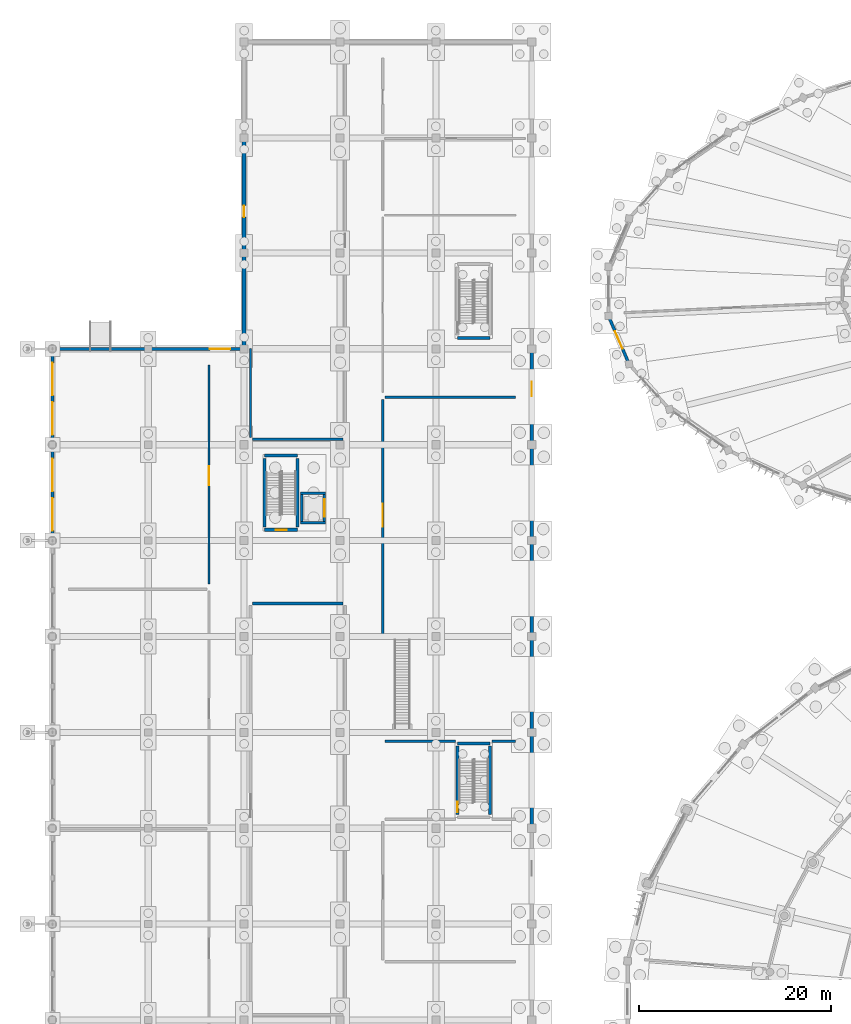
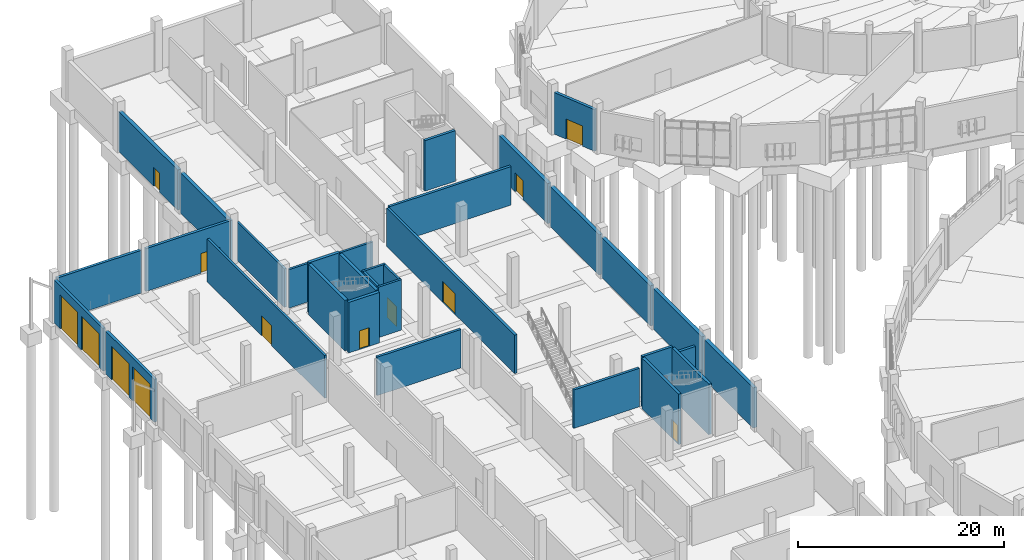
# One storey, part 81 of 140: 32 walls, 13 doors, 13 openings.
"""IFC4 building model written with IfcOpenShell, lengths in metres."""

from ifc_helpers import new_model, si_unit, direction, frame, frame_2d, origin, place, context, subcontext, project, spatial, rectangle, extrude, material, layer, layer_set, type_object, element, fill, save


model = new_model("IFC4")

# Units and contexts
model_context = context("Model", 3, precision=1e-05, world=origin(), true_north=direction((0.0, 1.0)))
body_context = subcontext(model_context, "Body", "Model", "MODEL_VIEW")
ifc_project = project(units=[si_unit("LENGTHUNIT", "METRE"), si_unit("AREAUNIT", "SQUARE_METRE"), si_unit("VOLUMEUNIT", "CUBIC_METRE"), si_unit("PLANEANGLEUNIT", "RADIAN"), si_unit("MASSUNIT", "GRAM", prefix="KILO")], contexts=[model_context])

# Site, building, storey
site_placement = place(None, origin())
site = spatial("IfcSite", under=ifc_project, at=site_placement, CompositionType="ELEMENT")
building_placement = place(site_placement, origin())
building = spatial("IfcBuilding", under=site, at=building_placement, Name="Corvandel Quay Wholesale Market", CompositionType="ELEMENT")
storey_placement = place(building_placement, origin())
storey = spatial("IfcBuildingStorey", under=building, at=storey_placement, Name="L00", CompositionType="ELEMENT", Elevation=0.0)

# Wall, opening, door
ifc_material_1 = material(Name="PIR insulated food-safe sandwich panel")
ifc_layer_1 = layer(ifc_material_1, 0.280029296875)
ifc_layer_set_1 = layer_set([ifc_layer_1], Name="PIR insulated food-safe sandwich panel")
wall_type_1 = type_object("IfcWallType", Name="Cold Store Insulated Partition PT03 280", PredefinedType="PARTITIONING", material=ifc_layer_set_1)
wall_1_placement = place(storey_placement, frame((34.4599609375, 79.84619140625, 0.0), z_axis=(0.0, 0.0, 1.0), x_axis=(0.0, 1.0, 0.0)))
wall_1 = element("IfcWall", 1, at=wall_1_placement, inside=storey, type_object=wall_type_1, Name="Interior Wall IW-0779", PredefinedType="PARTITIONING", context=body_context, shape_type="SweptSolid", body=[
    extrude(rectangle(XDim=24.873779296875, YDim=0.280029296875, at=frame_2d((12.43701171875, 0.0))), origin(), (0.0, 0.0, 1.0), 4.570068359375),
])
opening_1_placement = place(wall_1_placement, frame((11.5869140625, 0.0, 0.0)))
opening_1 = element("IfcOpeningElement", 2, at=opening_1_placement, cuts=wall_1, Name="Opening L00-D116", PredefinedType="OPENING", context=body_context, shape_type="SweptSolid", body=[
    extrude(rectangle(XDim=2.39990234375, YDim=2.449951171875, at=frame_2d((1.199951171875, 1.22509765625))), frame((0.0, 0.14990234375, 0.0), z_axis=(0.0, -1.0, 0.0), x_axis=(1.0, 0.0, 0.0)), (0.0, 0.0, 1.0), 0.300048828125),
])
ifc_material_2 = material(Name="Stainless insulated cold-store leaf")
door_type_1 = type_object("IfcDoorType", Name="Cold Store Insulated Sliding Door ID06 2400x2450", OperationType="DOUBLE_DOOR_SLIDING", PredefinedType="DOOR", material=ifc_material_2)
door_1_placement = place(opening_1_placement, origin())
door_1 = element("IfcDoor", 3, at=door_1_placement, inside=storey, type_object=door_type_1, Name="Chilled Dairy and Berry Cold Store Door", OperationType="DOUBLE_DOOR_SLIDING", OverallHeight=2.449951171875, OverallWidth=2.39990234375, PredefinedType="DOOR", context=body_context, shape_type="SweptSolid", body=[
    extrude(rectangle(XDim=2.39990234375, YDim=2.449951171875, at=frame_2d((1.199951171875, 1.22509765625))), frame((0.0, 0.02490234375, 0.0), z_axis=(0.0, -1.0, 0.0), x_axis=(1.0, 0.0, 0.0)), (0.0, 0.0, 1.0), 0.050048828125),
])
fill(opening_1, door_1)

# Walls
wall_2_placement = place(storey_placement, frame((34.679931640625, 104.93994140625, 0.0), z_axis=(0.0, 0.0, 1.0), x_axis=(1.0, 0.0, 0.0)))
element("IfcWall", 4, at=wall_2_placement, inside=storey, type_object=wall_type_1, Name="Interior Wall IW-0780", PredefinedType="PARTITIONING", context=body_context, shape_type="SweptSolid", body=[
    extrude(rectangle(XDim=13.650146484375, YDim=0.280029296875, at=frame_2d((6.8251953125, 0.0))), origin(), (0.0, 0.0, 1.0), 4.570068359375),
])
wall_3_placement = place(storey_placement, frame((48.330078125, 69.06005859375, 0.0), z_axis=(0.0, 0.0, 1.0), x_axis=(-1.0, 0.0, 0.0)))
element("IfcWall", 5, at=wall_3_placement, inside=storey, type_object=wall_type_1, Name="Interior Wall IW-0781", PredefinedType="PARTITIONING", context=body_context, shape_type="SweptSolid", body=[
    extrude(rectangle(XDim=2.4599609375, YDim=0.280029296875, at=frame_2d((1.22998046875, 0.0))), origin(), (0.0, 0.0, 1.0), 4.969970703125),
])
wall_4_placement = place(storey_placement, frame((42.030029296875, 69.06005859375, 0.0), z_axis=(0.0, 0.0, 1.0), x_axis=(-1.0, 0.0, 0.0)))
element("IfcWall", 6, at=wall_4_placement, inside=storey, type_object=wall_type_1, Name="Interior Wall IW-0782", PredefinedType="PARTITIONING", context=body_context, shape_type="SweptSolid", body=[
    extrude(rectangle(XDim=7.35009765625, YDim=0.280029296875, at=frame_2d((3.675048828125, 0.0))), origin(), (0.0, 0.0, 1.0), 4.570068359375),
])
wall_5_placement = place(storey_placement, frame((20.8798828125, 83.43994140625, 0.0), z_axis=(0.0, 0.0, 1.0), x_axis=(1.0, 0.0, 0.0)))
element("IfcWall", 7, at=wall_5_placement, inside=storey, type_object=wall_type_1, Name="Interior Wall IW-0789", PredefinedType="PARTITIONING", context=body_context, shape_type="SweptSolid", body=[
    extrude(rectangle(XDim=9.440185546875, YDim=0.280029296875, at=frame_2d((4.72021484375, 0.0))), origin(), (0.0, 0.0, 1.0), 4.570068359375),
])

# Wall, opening, door
ifc_material_3 = material(Name="Concrete C40/50", Category="concrete")
ifc_layer_2 = layer(ifc_material_3, 0.35009765625)
ifc_layer_set_2 = layer_set([ifc_layer_2], Name="Concrete C40/50")
wall_type_2 = type_object("IfcWallType", Name="Core Shear Wall SW01 350", PredefinedType="SHEAR", material=ifc_layer_set_2)
wall_6_placement = place(storey_placement, frame((22.125, 91.125, 0.0), z_axis=(0.0, 0.0, 1.0), x_axis=(1.0, 0.0, 0.0)))
wall_6 = element("IfcWall", 8, at=wall_6_placement, inside=storey, type_object=wall_type_2, Name="Shear Wall IW-0121", PredefinedType="SHEAR", context=body_context, shape_type="SweptSolid", body=[
    extrude(rectangle(XDim=3.449951171875, YDim=0.35009765625, at=frame_2d((1.72509765625, 0.0))), origin(), (0.0, 0.0, 1.0), 6.0),
])
opening_2_placement = place(wall_6_placement, frame((1.199951171875, 0.0, 0.0)))
opening_2 = element("IfcOpeningElement", 9, at=opening_2_placement, cuts=wall_6, Name="Opening L00-D067", PredefinedType="OPENING", context=body_context, shape_type="SweptSolid", body=[
    extrude(rectangle(XDim=1.10009765625, YDim=2.199951171875, at=frame_2d((0.550048828125, 1.10009765625))), frame((0.0, 0.18505859375, 0.0), z_axis=(0.0, -1.0, 0.0), x_axis=(1.0, 0.0, 0.0)), (0.0, 0.0, 1.0), 0.3701171875),
])
ifc_material_4 = material(Name="Galvanised fire-rated hollow steel", Category="steel")
door_type_2 = type_object("IfcDoorType", Name="Exit Stair Fire Door ID01 1100x2200L", OperationType="SINGLE_SWING_LEFT", PredefinedType="DOOR", material=ifc_material_4)
door_2_placement = place(opening_2_placement, origin())
door_2 = element("IfcDoor", 10, at=door_2_placement, inside=storey, type_object=door_type_2, Name="Exit Stair Door SH12-L00", OperationType="SINGLE_SWING_LEFT", OverallHeight=2.199951171875, OverallWidth=1.10009765625, PredefinedType="DOOR", context=body_context, shape_type="SweptSolid", body=[
    extrude(rectangle(XDim=1.10009765625, YDim=2.199951171875, at=frame_2d((0.550048828125, 1.10009765625))), frame((0.0, 0.02490234375, 0.0), z_axis=(0.0, -1.0, 0.0), x_axis=(1.0, 0.0, 0.0)), (0.0, 0.0, 1.0), 0.050048828125),
])
fill(opening_2, door_2)

# Walls
wall_7_placement = place(storey_placement, frame((22.125, 98.875, 0.0), z_axis=(0.0, 0.0, 1.0), x_axis=(1.0, 0.0, 0.0)))
element("IfcWall", 11, at=wall_7_placement, inside=storey, type_object=wall_type_2, Name="Shear Wall IW-0122", PredefinedType="SHEAR", context=body_context, shape_type="SweptSolid", body=[
    extrude(rectangle(XDim=3.449951171875, YDim=0.35009765625, at=frame_2d((1.72509765625, 0.0))), origin(), (0.0, 0.0, 1.0), 6.0),
])
for number, where, z_axis, x_axis, name in (
    (12, (22.125, 91.43994140625, 0.0), (0.0, 0.0, 1.0), (0.0, 1.0, 0.0), "Shear Wall IW-0123"),
    (13, (25.574951171875, 91.43994140625, 0.0), (0.0, 0.0, 1.0), (0.0, 1.0, 0.0), "Shear Wall IW-0124"),
):
    element("IfcWall", number, at=place(storey_placement, frame(where, z_axis=z_axis, x_axis=x_axis)), inside=storey, type_object=wall_type_2, Name=name, PredefinedType="SHEAR", context=body_context, shape_type="SweptSolid", body=[
        extrude(rectangle(XDim=7.1201171875, YDim=0.35009765625, at=frame_2d((3.56005859375, 0.0))), origin(), (0.0, 0.0, 1.0), 6.0),
    ])

# Wall, opening, door
ifc_material_5 = material(Name="Lightweight concrete blockwork", Category="masonry")
ifc_layer_3 = layer(ifc_material_5, 0.239990234375)
ifc_layer_set_3 = layer_set([ifc_layer_3], Name="Lightweight concrete blockwork")
wall_type_3 = type_object("IfcWallType", Name="Fire Compartment Partition PT01 240", PredefinedType="PARTITIONING", material=ifc_layer_set_3)
wall_8_placement = place(storey_placement, frame((16.340087890625, 108.330078125, 0.0), z_axis=(0.0, 0.0, 1.0), x_axis=(0.0, -1.0, 0.0)))
wall_8 = element("IfcWall", 14, at=wall_8_placement, inside=storey, type_object=wall_type_3, Name="Interior Wall IW-0771", PredefinedType="PARTITIONING", context=body_context, shape_type="SweptSolid", body=[
    extrude(rectangle(XDim=22.85009765625, YDim=0.239990234375, at=frame_2d((11.425048828125, 0.0))), origin(), (0.0, 0.0, 1.0), 5.080078125),
])
opening_3_placement = place(wall_8_placement, frame((10.574951171875, 0.0, 0.0)))
opening_3 = element("IfcOpeningElement", 15, at=opening_3_placement, cuts=wall_8, Name="Opening L00-D113", PredefinedType="OPENING", context=body_context, shape_type="SweptSolid", body=[
    extrude(rectangle(XDim=2.0, YDim=2.35009765625, at=frame_2d((1.0, 1.175048828125))), frame((0.0, 0.1298828125, 0.0), z_axis=(0.0, -1.0, 0.0), x_axis=(1.0, 0.0, 0.0)), (0.0, 0.0, 1.0), 0.260009765625),
])
ifc_material_6 = material(Name="Heavy-duty anodised aluminium", Category="aluminium")
door_type_3 = type_object("IfcDoorType", Name="Trading Stall Double Door ID05 2000x2350", OperationType="DOUBLE_DOOR_SINGLE_SWING", PredefinedType="DOOR", material=ifc_material_6)
door_3_placement = place(opening_3_placement, origin())
door_3 = element("IfcDoor", 16, at=door_3_placement, inside=storey, type_object=door_type_3, Name="Refrigerated Truck Loading Dock Bay 4 Door", OperationType="DOUBLE_DOOR_SINGLE_SWING", OverallHeight=2.35009765625, OverallWidth=2.0, PredefinedType="DOOR", context=body_context, shape_type="SweptSolid", body=[
    extrude(rectangle(XDim=2.0, YDim=2.35009765625, at=frame_2d((1.0, 1.175048828125))), frame((0.0, 0.02490234375, 0.0), z_axis=(0.0, -1.0, 0.0), x_axis=(1.0, 0.0, 0.0)), (0.0, 0.0, 1.0), 0.050048828125),
])
fill(opening_3, door_3)

# Walls
wall_9_placement = place(storey_placement, frame((20.659912109375, 100.780029296875, 0.0), z_axis=(0.0, 0.0, 1.0), x_axis=(0.0, 1.0, 0.0)))
element("IfcWall", 17, at=wall_9_placement, inside=storey, type_object=wall_type_3, Name="Interior Wall IW-0792", PredefinedType="PARTITIONING", context=body_context, shape_type="SweptSolid", body=[
    extrude(rectangle(XDim=9.239990234375, YDim=0.239990234375, at=frame_2d((4.6201171875, 0.0))), origin(), (0.0, 0.0, 1.0), 4.570068359375),
])
wall_10_placement = place(storey_placement, frame((30.320068359375, 100.56005859375, 0.0), z_axis=(0.0, 0.0, 1.0), x_axis=(-1.0, 0.0, 0.0)))
element("IfcWall", 18, at=wall_10_placement, inside=storey, type_object=wall_type_3, Name="Interior Wall IW-0794", PredefinedType="PARTITIONING", context=body_context, shape_type="SweptSolid", body=[
    extrude(rectangle(XDim=9.440185546875, YDim=0.239990234375, at=frame_2d((4.72021484375, 0.0))), origin(), (0.0, 0.0, 1.0), 4.570068359375),
])

# Wall, opening, door
ifc_material_7 = material(Name="Marine precast concrete C45/55", Category="concrete")
ifc_layer_4 = layer(ifc_material_7, 0.31005859375)
ifc_layer_set_4 = layer_set([ifc_layer_4], Name="Marine precast concrete C45/55")
wall_type_4 = type_object("IfcWallType", Name="Fish Hall Marine Precast Wall EW06 310", PredefinedType="SOLIDWALL", material=ifc_layer_set_4)
wall_11_placement = place(storey_placement, frame((58.094482421875, 113.218505859375, 0.0), z_axis=(0.0, 0.0, 1.0), x_axis=(0.393836540118, -0.91918049352, 0.0)))
wall_11 = element("IfcWall", 19, at=wall_11_placement, inside=storey, type_object=wall_type_4, Name="Exterior Wall EW-0123", PredefinedType="SOLIDWALL", context=body_context, shape_type="SweptSolid", body=[
    extrude(rectangle(XDim=4.984619140625, YDim=0.31005859375, at=frame_2d((2.4921875, 0.0))), origin(), (0.0, 0.0, 1.0), 4.949951171875),
])
opening_4_placement = place(wall_11_placement, frame((1.491943359375, 0.0, 0.0)))
opening_4 = element("IfcOpeningElement", 20, at=opening_4_placement, cuts=wall_11, Name="Opening L00-D019", PredefinedType="OPENING", context=body_context, shape_type="SweptSolid", body=[
    extrude(rectangle(XDim=2.0, YDim=2.39990234375, at=frame_2d((1.0, 1.199951171875))), frame((0.0, 0.1650390625, 0.0), z_axis=(0.0, -1.0, 0.0), x_axis=(1.0, 0.0, 0.0)), (0.0, 0.0, 1.0), 0.330078125),
])
ifc_material_8 = material(Name="Bronze anodised aluminium and laminated glass", Category="aluminium")
door_type_4 = type_object("IfcDoorType", Name="Concourse Double Exit Door ED02 2000x2400", OperationType="DOUBLE_DOOR_SINGLE_SWING", PredefinedType="DOOR", material=ifc_material_8)
door_4_placement = place(opening_4_placement, origin())
door_4 = element("IfcDoor", 21, at=door_4_placement, inside=storey, type_object=door_type_4, Name="Main Pedestrian Exit V2-16", OperationType="DOUBLE_DOOR_SINGLE_SWING", OverallHeight=2.39990234375, OverallWidth=2.0, PredefinedType="DOOR", context=body_context, shape_type="SweptSolid", body=[
    extrude(rectangle(XDim=2.0, YDim=2.39990234375, at=frame_2d((1.0, 1.199951171875))), frame((0.0, 0.02490234375, 0.0), z_axis=(0.0, -1.0, 0.0), x_axis=(1.0, 0.0, 0.0)), (0.0, 0.0, 1.0), 0.050048828125),
])
fill(opening_4, door_4)

# Walls
ifc_material_9 = material(Name="Insulated precast concrete C45/55", Category="concrete")
ifc_layer_5 = layer(ifc_material_9, 0.39990234375)
ifc_layer_set_5 = layer_set([ifc_layer_5], Name="Insulated precast concrete C45/55")
wall_type_5 = type_object("IfcWallType", Name="Insulated Cold Store Envelope Wall EW03 400", PredefinedType="SOLIDWALL", material=ifc_layer_set_5)
for number, where, z_axis, x_axis, name in (
    (22, (50.0, 69.760009765625, 0.0), (0.0, 0.0, 1.0), (0.0, -1.0, 0.0), "Exterior Wall EW-0258"),
    (23, (50.0, 79.760009765625, 0.0), (0.0, 0.0, 1.0), (0.0, -1.0, 0.0), "Exterior Wall EW-0265"),
    (24, (50.0, 89.760009765625, 0.0), (0.0, 0.0, 1.0), (0.0, -1.0, 0.0), "Exterior Wall EW-0272"),
    (25, (50.0, 99.760009765625, 0.0), (0.0, 0.0, 1.0), (0.0, -1.0, 0.0), "Exterior Wall EW-0279"),
):
    element("IfcWall", number, at=place(storey_placement, frame(where, z_axis=z_axis, x_axis=x_axis)), inside=storey, type_object=wall_type_5, Name=name, PredefinedType="SOLIDWALL", context=body_context, shape_type="SweptSolid", body=[
        extrude(rectangle(XDim=9.52001953125, YDim=0.39990234375, at=frame_2d((4.760009765625, 0.0))), origin(), (0.0, 0.0, 1.0), 4.77001953125),
    ])

# Wall, opening, door
wall_12_placement = place(storey_placement, frame((50.0, 109.760009765625, 0.0), z_axis=(0.0, 0.0, 1.0), x_axis=(0.0, -1.0, 0.0)))
wall_12 = element("IfcWall", 26, at=wall_12_placement, inside=storey, type_object=wall_type_5, Name="Exterior Wall EW-0286", PredefinedType="SOLIDWALL", context=body_context, shape_type="SweptSolid", body=[
    extrude(rectangle(XDim=9.52001953125, YDim=0.39990234375, at=frame_2d((4.760009765625, 0.0))), origin(), (0.0, 0.0, 1.0), 4.77001953125),
])
opening_5_placement = place(wall_12_placement, frame((3.199951171875, 0.0, 0.0)))
opening_5 = element("IfcOpeningElement", 27, at=opening_5_placement, cuts=wall_12, Name="Opening L00-D047", PredefinedType="OPENING", context=body_context, shape_type="SweptSolid", body=[
    extrude(rectangle(XDim=1.5, YDim=2.25, at=frame_2d((0.75, 1.125))), frame((0.0, 0.2099609375, 0.0), z_axis=(0.0, -1.0, 0.0), x_axis=(1.0, 0.0, 0.0)), (0.0, 0.0, 1.0), 0.419921875),
])
ifc_material_10 = material(Name="Galvanised insulated hollow steel", Category="steel")
door_type_5 = type_object("IfcDoorType", Name="Exterior Stair Discharge Door ED05 1500x2250", OperationType="SINGLE_SWING_RIGHT", PredefinedType="DOOR", material=ifc_material_10)
door_5_placement = place(opening_5_placement, origin())
door_5 = element("IfcDoor", 28, at=door_5_placement, inside=storey, type_object=door_type_5, Name="Cold Store Yard Exit 100", OperationType="SINGLE_SWING_RIGHT", OverallHeight=2.25, OverallWidth=1.5, PredefinedType="DOOR", context=body_context, shape_type="SweptSolid", body=[
    extrude(rectangle(XDim=1.5, YDim=2.25, at=frame_2d((0.75, 1.125))), frame((0.0, 0.02490234375, 0.0), z_axis=(0.0, -1.0, 0.0), x_axis=(1.0, 0.0, 0.0)), (0.0, 0.0, 1.0), 0.050048828125),
])
fill(opening_5, door_5)

# Wall
wall_13_placement = place(storey_placement, frame((20.0, 110.239990234375, 0.0), z_axis=(0.0, 0.0, 1.0), x_axis=(0.0, 1.0, 0.0)))
element("IfcWall", 29, at=wall_13_placement, inside=storey, type_object=wall_type_5, Name="Exterior Wall EW-0290", PredefinedType="SOLIDWALL", context=body_context, shape_type="SweptSolid", body=[
    extrude(rectangle(XDim=9.52001953125, YDim=0.39990234375, at=frame_2d((4.760009765625, 0.0))), origin(), (0.0, 0.0, 1.0), 4.77001953125),
])

# Wall, opening, door
wall_14_placement = place(storey_placement, frame((20.0, 120.239990234375, 0.0), z_axis=(0.0, 0.0, 1.0), x_axis=(0.0, 1.0, 0.0)))
wall_14 = element("IfcWall", 30, at=wall_14_placement, inside=storey, type_object=wall_type_5, Name="Exterior Wall EW-0298", PredefinedType="SOLIDWALL", context=body_context, shape_type="SweptSolid", body=[
    extrude(rectangle(XDim=11.52001953125, YDim=0.39990234375, at=frame_2d((5.760009765625, 0.0))), origin(), (0.0, 0.0, 1.0), 4.77001953125),
])
opening_6_placement = place(wall_14_placement, frame((3.5, 0.0, 0.0)))
opening_6 = element("IfcOpeningElement", 31, at=opening_6_placement, cuts=wall_14, Name="Opening L00-D048", PredefinedType="OPENING", context=body_context, shape_type="SweptSolid", body=[
    extrude(rectangle(XDim=1.199951171875, YDim=2.25, at=frame_2d((0.60009765625, 1.125))), frame((0.0, 0.2099609375, 0.0), z_axis=(0.0, -1.0, 0.0), x_axis=(1.0, 0.0, 0.0)), (0.0, 0.0, 1.0), 0.419921875),
])
door_type_6 = type_object("IfcDoorType", Name="Plant Yard Service Door ED06 1200x2250", OperationType="SINGLE_SWING_LEFT", PredefinedType="DOOR", material=ifc_material_10)
door_6_placement = place(opening_6_placement, origin())
door_6 = element("IfcDoor", 32, at=door_6_placement, inside=storey, type_object=door_type_6, Name="Substation Yard Door", OperationType="SINGLE_SWING_LEFT", OverallHeight=2.25, OverallWidth=1.199951171875, PredefinedType="DOOR", context=body_context, shape_type="SweptSolid", body=[
    extrude(rectangle(XDim=1.199951171875, YDim=2.25, at=frame_2d((0.60009765625, 1.125))), frame((0.0, 0.02490234375, 0.0), z_axis=(0.0, -1.0, 0.0), x_axis=(1.0, 0.0, 0.0)), (0.0, 0.0, 1.0), 0.050048828125),
])
fill(opening_6, door_6)

# Walls
ifc_layer_6 = layer(ifc_material_3, 0.25)
ifc_layer_set_6 = layer_set([ifc_layer_6], Name="Concrete C40/50")
wall_type_6 = type_object("IfcWallType", Name="Lift Shaft Shear Wall SW03 250", PredefinedType="SHEAR", material=ifc_layer_set_6)
for number, where, z_axis, x_axis, name in (
    (33, (25.89990234375, 91.875, 0.0), (0.0, 0.0, 1.0), (1.0, 0.0, 0.0), "Shear Wall IW-0309"),
    (34, (25.89990234375, 94.925048828125, 0.0), (0.0, 0.0, 1.0), (1.0, 0.0, 0.0), "Shear Wall IW-0310"),
):
    element("IfcWall", number, at=place(storey_placement, frame(where, z_axis=z_axis, x_axis=x_axis)), inside=storey, type_object=wall_type_6, Name=name, PredefinedType="SHEAR", context=body_context, shape_type="SweptSolid", body=[
        extrude(rectangle(XDim=2.60009765625, YDim=0.25, at=frame_2d((1.300048828125, 0.0))), origin(), (0.0, 0.0, 1.0), 6.0),
    ])
wall_15_placement = place(storey_placement, frame((26.02490234375, 91.989990234375, 0.0), z_axis=(0.0, 0.0, 1.0), x_axis=(0.0, 1.0, 0.0)))
element("IfcWall", 35, at=wall_15_placement, inside=storey, type_object=wall_type_6, Name="Shear Wall IW-0311", PredefinedType="SHEAR", context=body_context, shape_type="SweptSolid", body=[
    extrude(rectangle(XDim=2.820068359375, YDim=0.25, at=frame_2d((1.41015625, 0.0))), origin(), (0.0, 0.0, 1.0), 6.0),
])

# Wall, opening, door
wall_16_placement = place(storey_placement, frame((28.375, 91.989990234375, 0.0), z_axis=(0.0, 0.0, 1.0), x_axis=(0.0, 1.0, 0.0)))
wall_16 = element("IfcWall", 36, at=wall_16_placement, inside=storey, type_object=wall_type_6, Name="Shear Wall IW-0312", PredefinedType="SHEAR", context=body_context, shape_type="SweptSolid", body=[
    extrude(rectangle(XDim=2.820068359375, YDim=0.25, at=frame_2d((1.41015625, 0.0))), origin(), (0.0, 0.0, 1.0), 6.0),
])
opening_7_placement = place(wall_16_placement, frame((0.510009765625, 0.0, 0.0)))
opening_7 = element("IfcOpeningElement", 37, at=opening_7_placement, cuts=wall_16, Name="Opening LD-L00-082", PredefinedType="OPENING", context=body_context, shape_type="SweptSolid", body=[
    extrude(rectangle(XDim=1.800048828125, YDim=2.39990234375, at=frame_2d((0.89990234375, 1.199951171875))), frame((0.0, 0.135009765625, 0.0), z_axis=(0.0, -1.0, 0.0), x_axis=(1.0, 0.0, 0.0)), (0.0, 0.0, 1.0), 0.27001953125),
])
ifc_material_11 = material(Name="Heavy-duty brushed stainless steel", Category="steel")
door_type_7 = type_object("IfcDoorType", Name="Goods Lift Landing Door LD02 1800x2400", OperationType="DOUBLE_DOOR_SLIDING", PredefinedType="DOOR", material=ifc_material_11)
door_7_placement = place(opening_7_placement, origin())
door_7 = element("IfcDoor", 38, at=door_7_placement, inside=storey, type_object=door_type_7, Name="Lift Landing Door LF-V4F2-L00", OperationType="DOUBLE_DOOR_SLIDING", OverallHeight=2.39990234375, OverallWidth=1.800048828125, PredefinedType="DOOR", context=body_context, shape_type="SweptSolid", body=[
    extrude(rectangle(XDim=1.800048828125, YDim=2.39990234375, at=frame_2d((0.89990234375, 1.199951171875))), frame((0.0, 0.02490234375, 0.0), z_axis=(0.0, -1.0, 0.0), x_axis=(1.0, 0.0, 0.0)), (0.0, 0.0, 1.0), 0.050048828125),
])
fill(opening_7, door_7)

# Wall, openings, doors
ifc_material_12 = material(Name="Precast concrete C45/55", Category="concrete")
ifc_layer_7 = layer(ifc_material_12, 0.300048828125)
ifc_layer_set_7 = layer_set([ifc_layer_7], Name="Precast concrete C45/55")
wall_type_7 = type_object("IfcWallType", Name="Loading Dock Apron Precast Wall EW05 300", PredefinedType="SOLIDWALL", material=ifc_layer_set_7)
wall_17_placement = place(storey_placement, frame((0.0, 90.239990234375, 0.0), z_axis=(0.0, 0.0, 1.0), x_axis=(0.0, 1.0, 0.0)))
wall_17 = element("IfcWall", 39, at=wall_17_placement, inside=storey, type_object=wall_type_7, Name="Exterior Wall EW-0214", PredefinedType="SOLIDWALL", context=body_context, shape_type="SweptSolid", body=[
    extrude(rectangle(XDim=9.52001953125, YDim=0.300048828125, at=frame_2d((4.760009765625, 0.0))), origin(), (0.0, 0.0, 1.0), 5.080078125),
])
opening_8_placement = place(wall_17_placement, frame((0.800048828125, 0.0, 0.0)))
opening_8 = element("IfcOpeningElement", 40, at=opening_8_placement, cuts=wall_17, Name="Opening L00-D040", PredefinedType="OPENING", context=body_context, shape_type="SweptSolid", body=[
    extrude(rectangle(XDim=3.39990234375, YDim=4.0, at=frame_2d((1.699951171875, 2.0))), frame((0.0, 0.159912109375, 0.0), z_axis=(0.0, -1.0, 0.0), x_axis=(1.0, 0.0, 0.0)), (0.0, 0.0, 1.0), 0.320068359375),
])
opening_9_placement = place(wall_17_placement, frame((4.89990234375, 0.0, 0.0)))
opening_9 = element("IfcOpeningElement", 41, at=opening_9_placement, cuts=wall_17, Name="Opening L00-D041", PredefinedType="OPENING", context=body_context, shape_type="SweptSolid", body=[
    extrude(rectangle(XDim=3.39990234375, YDim=4.0, at=frame_2d((1.699951171875, 2.0))), frame((0.0, 0.159912109375, 0.0), z_axis=(0.0, -1.0, 0.0), x_axis=(1.0, 0.0, 0.0)), (0.0, 0.0, 1.0), 0.320068359375),
])
ifc_material_13 = material(Name="Insulated galvanised steel slats", Category="steel")
door_type_8 = type_object("IfcDoorType", Name="Refrigerated Dock Roller Shutter RS01 3400x4000", OperationType="ROLLINGUP", PredefinedType="DOOR", material=ifc_material_13)
door_8_placement = place(opening_8_placement, origin())
door_8 = element("IfcDoor", 42, at=door_8_placement, inside=storey, type_object=door_type_8, Name="Dock Bay Shutter A-17", OperationType="ROLLINGUP", OverallHeight=4.0, OverallWidth=3.39990234375, PredefinedType="DOOR", context=body_context, shape_type="SweptSolid", body=[
    extrude(rectangle(XDim=3.39990234375, YDim=4.0, at=frame_2d((1.699951171875, 2.0))), frame((0.0, 0.02490234375, 0.0), z_axis=(0.0, -1.0, 0.0), x_axis=(1.0, 0.0, 0.0)), (0.0, 0.0, 1.0), 0.050048828125),
])
fill(opening_8, door_8)
door_9_placement = place(opening_9_placement, origin())
door_9 = element("IfcDoor", 43, at=door_9_placement, inside=storey, type_object=door_type_8, Name="Dock Bay Shutter A-18", OperationType="ROLLINGUP", OverallHeight=4.0, OverallWidth=3.39990234375, PredefinedType="DOOR", context=body_context, shape_type="SweptSolid", body=[
    extrude(rectangle(XDim=3.39990234375, YDim=4.0, at=frame_2d((1.699951171875, 2.0))), frame((0.0, 0.02490234375, 0.0), z_axis=(0.0, -1.0, 0.0), x_axis=(1.0, 0.0, 0.0)), (0.0, 0.0, 1.0), 0.050048828125),
])
fill(opening_9, door_9)

wall_18_placement = place(storey_placement, frame((0.0, 100.239990234375, 0.0), z_axis=(0.0, 0.0, 1.0), x_axis=(0.0, 1.0, 0.0)))
wall_18 = element("IfcWall", 44, at=wall_18_placement, inside=storey, type_object=wall_type_7, Name="Exterior Wall EW-0216", PredefinedType="SOLIDWALL", context=body_context, shape_type="SweptSolid", body=[
    extrude(rectangle(XDim=9.52001953125, YDim=0.300048828125, at=frame_2d((4.760009765625, 0.0))), origin(), (0.0, 0.0, 1.0), 5.080078125),
])
opening_10_placement = place(wall_18_placement, frame((0.800048828125, 0.0, 0.0)))
opening_10 = element("IfcOpeningElement", 45, at=opening_10_placement, cuts=wall_18, Name="Opening L00-D042", PredefinedType="OPENING", context=body_context, shape_type="SweptSolid", body=[
    extrude(rectangle(XDim=3.39990234375, YDim=4.0, at=frame_2d((1.699951171875, 2.0))), frame((0.0, 0.159912109375, 0.0), z_axis=(0.0, -1.0, 0.0), x_axis=(1.0, 0.0, 0.0)), (0.0, 0.0, 1.0), 0.320068359375),
])
opening_11_placement = place(wall_18_placement, frame((4.89990234375, 0.0, 0.0)))
opening_11 = element("IfcOpeningElement", 46, at=opening_11_placement, cuts=wall_18, Name="Opening L00-D043", PredefinedType="OPENING", context=body_context, shape_type="SweptSolid", body=[
    extrude(rectangle(XDim=3.39990234375, YDim=4.0, at=frame_2d((1.699951171875, 2.0))), frame((0.0, 0.159912109375, 0.0), z_axis=(0.0, -1.0, 0.0), x_axis=(1.0, 0.0, 0.0)), (0.0, 0.0, 1.0), 0.320068359375),
])
door_10_placement = place(opening_10_placement, origin())
door_10 = element("IfcDoor", 47, at=door_10_placement, inside=storey, type_object=door_type_8, Name="Dock Bay Shutter A-19", OperationType="ROLLINGUP", OverallHeight=4.0, OverallWidth=3.39990234375, PredefinedType="DOOR", context=body_context, shape_type="SweptSolid", body=[
    extrude(rectangle(XDim=3.39990234375, YDim=4.0, at=frame_2d((1.699951171875, 2.0))), frame((0.0, 0.02490234375, 0.0), z_axis=(0.0, -1.0, 0.0), x_axis=(1.0, 0.0, 0.0)), (0.0, 0.0, 1.0), 0.050048828125),
])
fill(opening_10, door_10)
door_11_placement = place(opening_11_placement, origin())
door_11 = element("IfcDoor", 48, at=door_11_placement, inside=storey, type_object=door_type_8, Name="Dock Bay Shutter A-20", OperationType="ROLLINGUP", OverallHeight=4.0, OverallWidth=3.39990234375, PredefinedType="DOOR", context=body_context, shape_type="SweptSolid", body=[
    extrude(rectangle(XDim=3.39990234375, YDim=4.0, at=frame_2d((1.699951171875, 2.0))), frame((0.0, 0.02490234375, 0.0), z_axis=(0.0, -1.0, 0.0), x_axis=(1.0, 0.0, 0.0)), (0.0, 0.0, 1.0), 0.050048828125),
])
fill(opening_11, door_11)

# Wall
wall_19_placement = place(storey_placement, frame((0.239990234375, 110.0, 0.0), z_axis=(0.0, 0.0, 1.0), x_axis=(1.0, 0.0, 0.0)))
element("IfcWall", 49, at=wall_19_placement, inside=storey, type_object=wall_type_7, Name="Exterior Wall EW-0222", PredefinedType="SOLIDWALL", context=body_context, shape_type="SweptSolid", body=[
    extrude(rectangle(XDim=9.52001953125, YDim=0.300048828125, at=frame_2d((4.760009765625, 0.0))), origin(), (0.0, 0.0, 1.0), 5.080078125),
])

# Wall, opening, door
wall_20_placement = place(storey_placement, frame((10.239990234375, 110.0, 0.0), z_axis=(0.0, 0.0, 1.0), x_axis=(1.0, 0.0, 0.0)))
wall_20 = element("IfcWall", 50, at=wall_20_placement, inside=storey, type_object=wall_type_7, Name="Exterior Wall EW-0224", PredefinedType="SOLIDWALL", context=body_context, shape_type="SweptSolid", body=[
    extrude(rectangle(XDim=9.52001953125, YDim=0.300048828125, at=frame_2d((4.760009765625, 0.0))), origin(), (0.0, 0.0, 1.0), 5.080078125),
])
opening_12_placement = place(wall_20_placement, frame((6.199951171875, 0.0, 0.0)))
opening_12 = element("IfcOpeningElement", 51, at=opening_12_placement, cuts=wall_20, Name="Opening L00-D045", PredefinedType="OPENING", context=body_context, shape_type="SweptSolid", body=[
    extrude(rectangle(XDim=2.10009765625, YDim=2.35009765625, at=frame_2d((1.050048828125, 1.175048828125))), frame((0.0, 0.159912109375, 0.0), z_axis=(0.0, -1.0, 0.0), x_axis=(1.0, 0.0, 0.0)), (0.0, 0.0, 1.0), 0.320068359375),
])
door_type_9 = type_object("IfcDoorType", Name="Service Yard Double Door ED10 2100x2350", OperationType="DOUBLE_DOOR_SINGLE_SWING", PredefinedType="DOOR", material=ifc_material_10)
door_12_placement = place(opening_12_placement, origin())
door_12 = element("IfcDoor", 52, at=door_12_placement, inside=storey, type_object=door_type_9, Name="Main Pedestrian Exit V4-N", OperationType="DOUBLE_DOOR_SINGLE_SWING", OverallHeight=2.35009765625, OverallWidth=2.10009765625, PredefinedType="DOOR", context=body_context, shape_type="SweptSolid", body=[
    extrude(rectangle(XDim=2.10009765625, YDim=2.35009765625, at=frame_2d((1.050048828125, 1.175048828125))), frame((0.0, 0.02490234375, 0.0), z_axis=(0.0, -1.0, 0.0), x_axis=(1.0, 0.0, 0.0)), (0.0, 0.0, 1.0), 0.050048828125),
])
fill(opening_12, door_12)

# Wall
ifc_layer_8 = layer(ifc_material_3, 0.300048828125)
ifc_layer_set_8 = layer_set([ifc_layer_8], Name="Concrete C40/50")
wall_type_8 = type_object("IfcWallType", Name="Stair Shaft Shear Wall SW02 300", PredefinedType="SHEAR", material=ifc_layer_set_8)
wall_21_placement = place(storey_placement, frame((42.25, 68.85009765625, 0.0), z_axis=(0.0, 0.0, 1.0), x_axis=(1.0, 0.0, 0.0)))
element("IfcWall", 53, at=wall_21_placement, inside=storey, type_object=wall_type_8, Name="Shear Wall IW-0134", PredefinedType="SHEAR", context=body_context, shape_type="SweptSolid", body=[
    extrude(rectangle(XDim=3.39990234375, YDim=0.300048828125, at=frame_2d((1.699951171875, 0.0))), origin(), (0.0, 0.0, 1.0), 6.0),
])

# Wall, opening, door
wall_22_placement = place(storey_placement, frame((42.25, 61.43994140625, 0.0), z_axis=(0.0, 0.0, 1.0), x_axis=(0.0, 1.0, 0.0)))
wall_22 = element("IfcWall", 54, at=wall_22_placement, inside=storey, type_object=wall_type_8, Name="Shear Wall IW-0135", PredefinedType="SHEAR", context=body_context, shape_type="SweptSolid", body=[
    extrude(rectangle(XDim=7.1201171875, YDim=0.300048828125, at=frame_2d((3.56005859375, 0.0))), origin(), (0.0, 0.0, 1.0), 6.0),
])
opening_13_placement = place(wall_22_placement, frame((0.219970703125, 0.0, 0.0)))
opening_13 = element("IfcOpeningElement", 55, at=opening_13_placement, cuts=wall_22, Name="Opening L00-D068", PredefinedType="OPENING", context=body_context, shape_type="SweptSolid", body=[
    extrude(rectangle(XDim=1.10009765625, YDim=2.199951171875, at=frame_2d((0.550048828125, 1.10009765625))), frame((0.0, 0.159912109375, 0.0), z_axis=(0.0, -1.0, 0.0), x_axis=(1.0, 0.0, 0.0)), (0.0, 0.0, 1.0), 0.320068359375),
])
door_type_10 = type_object("IfcDoorType", Name="Exit Stair Fire Door ID02 1100x2200R", OperationType="SINGLE_SWING_RIGHT", PredefinedType="DOOR", material=ifc_material_4)
door_13_placement = place(opening_13_placement, origin())
door_13 = element("IfcDoor", 56, at=door_13_placement, inside=storey, type_object=door_type_10, Name="Exit Stair Door SH13-L00", OperationType="SINGLE_SWING_RIGHT", OverallHeight=2.199951171875, OverallWidth=1.10009765625, PredefinedType="DOOR", context=body_context, shape_type="SweptSolid", body=[
    extrude(rectangle(XDim=1.10009765625, YDim=2.199951171875, at=frame_2d((0.550048828125, 1.10009765625))), frame((0.0, 0.02490234375, 0.0), z_axis=(0.0, -1.0, 0.0), x_axis=(1.0, 0.0, 0.0)), (0.0, 0.0, 1.0), 0.050048828125),
])
fill(opening_13, door_13)

# Walls
wall_23_placement = place(storey_placement, frame((45.64990234375, 61.43994140625, 0.0), z_axis=(0.0, 0.0, 1.0), x_axis=(0.0, 1.0, 0.0)))
element("IfcWall", 57, at=wall_23_placement, inside=storey, type_object=wall_type_8, Name="Shear Wall IW-0136", PredefinedType="SHEAR", context=body_context, shape_type="SweptSolid", body=[
    extrude(rectangle(XDim=7.1201171875, YDim=0.300048828125, at=frame_2d((3.56005859375, 0.0))), origin(), (0.0, 0.0, 1.0), 6.0),
])
wall_24_placement = place(storey_placement, frame((42.25, 111.14990234375, 0.0), z_axis=(0.0, 0.0, 1.0), x_axis=(1.0, 0.0, 0.0)))
element("IfcWall", 58, at=wall_24_placement, inside=storey, type_object=wall_type_8, Name="Shear Wall IW-0153", PredefinedType="SHEAR", context=body_context, shape_type="SweptSolid", body=[
    extrude(rectangle(XDim=3.39990234375, YDim=0.300048828125, at=frame_2d((1.699951171875, 0.0))), origin(), (0.0, 0.0, 1.0), 6.0),
])

save(model, "model.ifc")
